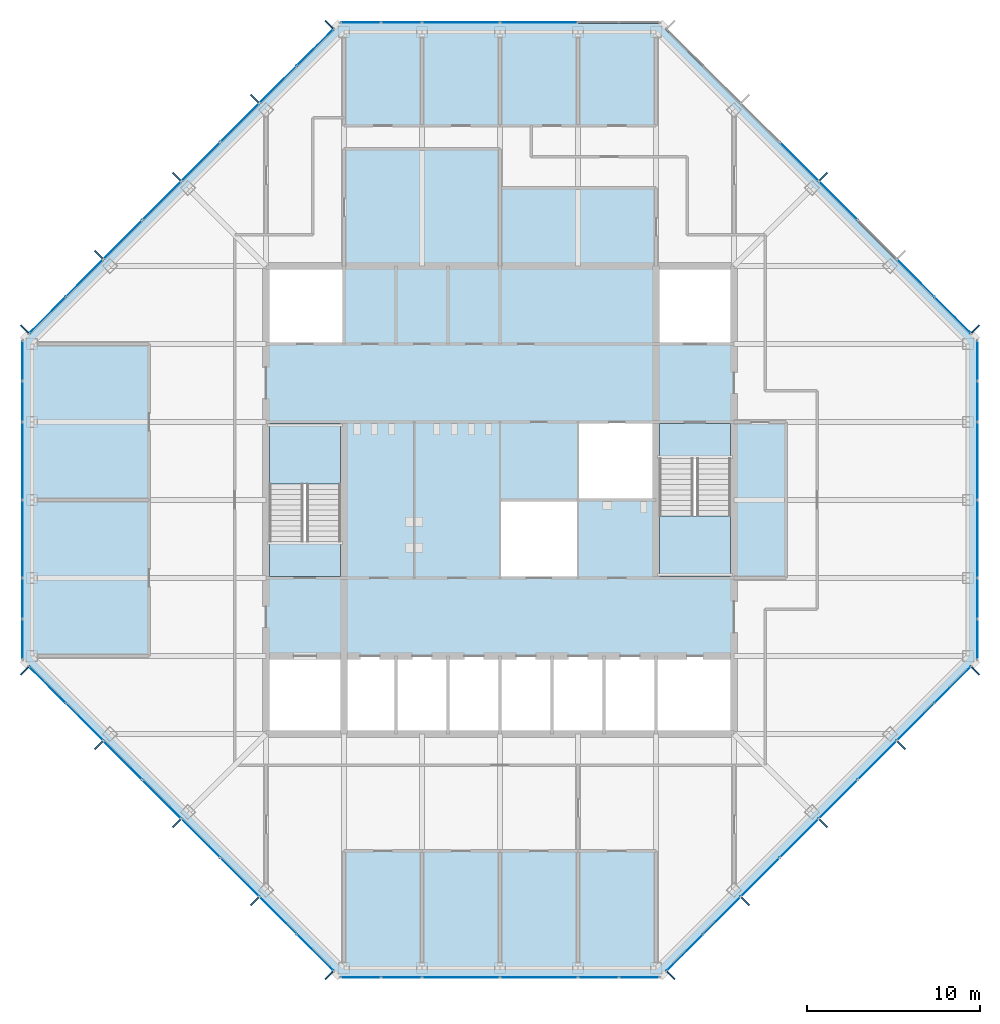
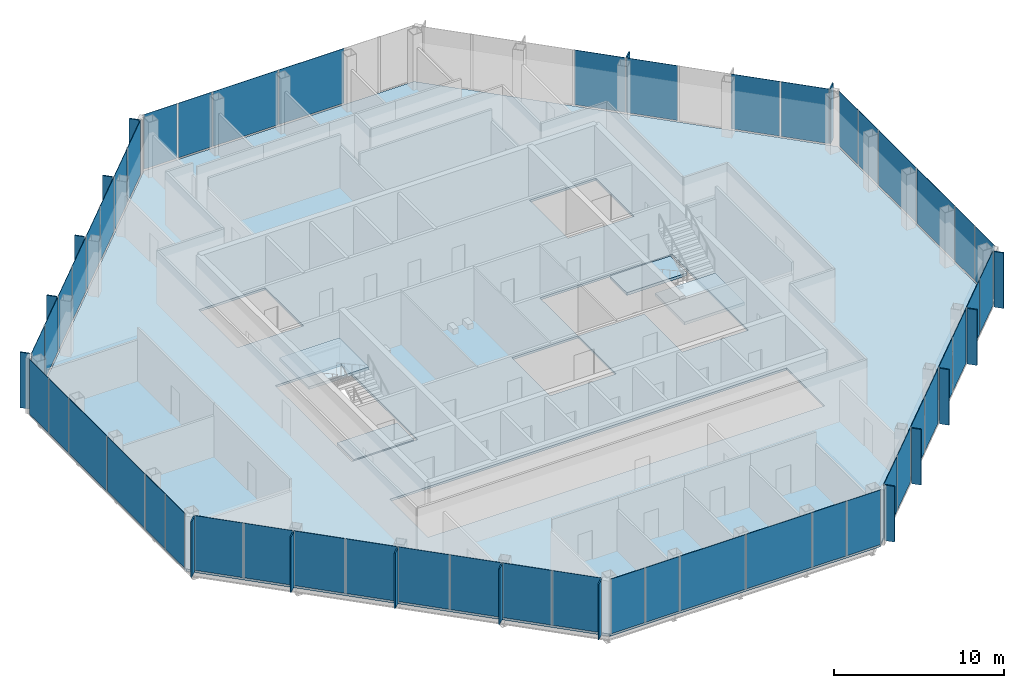
# One storey, part 8 of 14: 67 plates, 5 slabs, 10 elements without a shape of their own.
"""IFC4 building model written with IfcOpenShell, lengths in metres."""

from ifc_helpers import new_model, si_unit, direction, frame, origin, origin_2d, place, context, subcontext, project, spatial, polyline, rectangle, outline, extrude, material, layer, layer_set, type_object, element, aggregate, save


model = new_model("IFC4")

# Units and contexts
model_context = context("Model", 3, precision=1e-05, world=origin(), true_north=direction((0.0, 1.0)))
body_context = subcontext(model_context, "Body", "Model", "MODEL_VIEW")
ifc_project = project(units=[si_unit("LENGTHUNIT", "METRE"), si_unit("AREAUNIT", "SQUARE_METRE"), si_unit("VOLUMEUNIT", "CUBIC_METRE"), si_unit("PLANEANGLEUNIT", "RADIAN"), si_unit("MASSUNIT", "GRAM", prefix="KILO")], contexts=[model_context])

# Site, building, storey
site_placement = place(None, origin())
site = spatial("IfcSite", under=ifc_project, at=site_placement, CompositionType="ELEMENT")
building_placement = place(site_placement, origin())
building = spatial("IfcBuilding", under=site, at=building_placement, Name="Corais Broadcast Tower", CompositionType="ELEMENT")
storey_placement = place(building_placement, frame((0.0, 0.0, 258.60009765625)))
storey = spatial("IfcBuildingStorey", under=building, at=storey_placement, Name="L60", CompositionType="ELEMENT", Elevation=258.60009765625)

# Slab
ifc_material_1 = material(Name="Concrete C30/37", Category="concrete")
ifc_layer_1 = layer(ifc_material_1, 0.159912109375)
ifc_layer_set_1 = layer_set([ifc_layer_1], Name="Concrete C30/37")
slab_type_1 = type_object("IfcSlabType", Name="Composite floor slab 160", PredefinedType="FLOOR", material=ifc_layer_set_1)
slab_1_placement = place(storey_placement, frame((0.0, 0.0, -0.16015625)))
element("IfcSlab", 1, at=slab_1_placement, inside=storey, type_object=slab_type_1, Name="S160 floor slab L60", PredefinedType="FLOOR", context=body_context, shape_type="SweptSolid", body=[
    extrude(outline(polyline([(17.80126953125, -0.47998046875), (-0.47998046875, 17.80126953125), (-0.47998046875, 36.19873046875), (17.80126953125, 54.47998046875), (36.19873046875, 54.47998046875), (54.47998046875, 36.19873046875), (54.47998046875, 17.80126953125), (36.19873046875, -0.47998046875), (17.80126953125, -0.47998046875)]), holes=[polyline([(13.5, 18.0), (40.5, 18.0), (40.5, 13.5), (13.5, 13.5), (13.5, 18.0)]), polyline([(18.0, 22.5), (13.5, 22.5), (13.5, 31.5), (18.0, 31.5), (18.0, 22.5)]), polyline([(18.0, 36.0), (13.5, 36.0), (13.5, 40.5), (18.0, 40.5), (18.0, 36.0)]), polyline([(31.5, 22.5), (27.0, 22.5), (27.0, 27.0), (31.4951171875, 27.0), (31.4951171875, 27.0048828125), (31.5, 27.0048828125), (31.5, 31.5), (40.5, 31.5), (40.5, 22.5), (36.0, 22.5), (36.0, 27.0), (31.5048828125, 27.0), (31.5048828125, 26.9951171875), (31.5, 26.9951171875), (31.5, 22.5)]), polyline([(40.5, 36.0), (36.0, 36.0), (36.0, 40.5), (40.5, 40.5), (40.5, 36.0)])]), origin(), (0.0, 0.0, 1.0), 0.16015625),
])

# Curtain wall, plates
ifc_material_2 = material(Name="Aluminium and glass", Category="aluminium")
curtain_wall_type = type_object("IfcCurtainWallType", Name="Unitised fritted curtain wall CW3", PredefinedType="NOTDEFINED", material=ifc_material_2)
curtain_wall_1_placement = place(storey_placement, origin())
curtain_wall_1 = element("IfcCurtainWall", 2, at=curtain_wall_1_placement, inside=storey, type_object=curtain_wall_type, Name="CW3 curtain wall L60 1", PredefinedType="NOTDEFINED")
ifc_material_3 = material(Name="Ceramic-fritted laminated glass", Category="glass")
ifc_layer_2 = layer(ifc_material_3, 0.02587890625)
ifc_layer_set_2 = layer_set([ifc_layer_2], Name="Ceramic-fritted laminated glass")
plate_type_1 = type_object("IfcPlateType", Name="Fritted glass panel CW3", PredefinedType="CURTAIN_PANEL", material=ifc_layer_set_2)
plate_1_placement = place(storey_placement, frame((16.330322265625, 0.891845703125, 0.06494140625), z_axis=(0.0, 0.0, 1.0), x_axis=(-0.707106781187, 0.707106781187, 0.0)))
plate_1 = element("IfcPlate", 3, at=plate_1_placement, type_object=plate_type_1, Name="CW3 panel 1", PredefinedType="CURTAIN_PANEL", context=body_context, shape_type="SweptSolid", body=[
    extrude(rectangle(XDim=2.9482421875, YDim=0.02587890625, at=origin_2d()), origin(), (0.0, 0.0, 1.0), 3.93505859375),
])
plate_2_placement = place(storey_placement, frame((11.986083984375, 5.236083984375, 0.06494140625), z_axis=(0.0, 0.0, 1.0), x_axis=(-0.707106781187, 0.707106781187, 0.0)))
plate_2 = element("IfcPlate", 4, at=plate_2_placement, type_object=plate_type_1, Name="CW3 panel 3", PredefinedType="CURTAIN_PANEL", context=body_context, shape_type="SweptSolid", body=[
    extrude(rectangle(XDim=3.116943359375, YDim=0.02587890625, at=origin_2d()), origin(), (0.0, 0.0, 1.0), 3.93505859375),
])
plate_3_placement = place(storey_placement, frame((7.486083984375, 9.736083984375, 0.06494140625), z_axis=(0.0, 0.0, 1.0), x_axis=(-0.707106781187, 0.707106781187, 0.0)))
plate_3 = element("IfcPlate", 5, at=plate_3_placement, type_object=plate_type_1, Name="CW3 panel 5", PredefinedType="CURTAIN_PANEL", context=body_context, shape_type="SweptSolid", body=[
    extrude(rectangle(XDim=3.116943359375, YDim=0.02587890625, at=origin_2d()), origin(), (0.0, 0.0, 1.0), 3.93505859375),
])
plate_4_placement = place(storey_placement, frame((3.0341796875, 14.18798828125, 0.06494140625), z_axis=(0.0, 0.0, 1.0), x_axis=(-0.707106781187, 0.707106781187, 0.0)))
plate_4 = element("IfcPlate", 6, at=plate_4_placement, type_object=plate_type_1, Name="CW3 panel 7", PredefinedType="CURTAIN_PANEL", context=body_context, shape_type="SweptSolid", body=[
    extrude(rectangle(XDim=2.98095703125, YDim=0.02587890625, at=origin_2d()), origin(), (0.0, 0.0, 1.0), 3.93505859375),
])

curtain_wall_2_placement = place(storey_placement, origin())
curtain_wall_2 = element("IfcCurtainWall", 7, at=curtain_wall_2_placement, inside=storey, type_object=curtain_wall_type, Name="CW3 curtain wall L60 2", PredefinedType="NOTDEFINED")
plate_5_placement = place(storey_placement, frame((-0.550048828125, 18.970458984375, 0.06494140625), z_axis=(0.0, 0.0, 1.0), x_axis=(0.0, 1.0, 0.0)))
plate_5 = element("IfcPlate", 8, at=plate_5_placement, type_object=plate_type_1, Name="CW3 panel 1", PredefinedType="CURTAIN_PANEL", context=body_context, shape_type="SweptSolid", body=[
    extrude(rectangle(XDim=2.266357421875, YDim=0.02587890625, at=origin_2d()), origin(), (0.0, 0.0, 1.0), 3.93505859375),
])
plate_6_placement = place(storey_placement, frame((-0.550048828125, 24.75, 0.06494140625), z_axis=(0.0, 0.0, 1.0), x_axis=(0.0, 1.0, 0.0)))
plate_6 = element("IfcPlate", 9, at=plate_6_placement, type_object=plate_type_1, Name="CW3 panel 3", PredefinedType="CURTAIN_PANEL", context=body_context, shape_type="SweptSolid", body=[
    extrude(rectangle(XDim=4.43505859375, YDim=0.02587890625, at=origin_2d()), origin(), (0.0, 0.0, 1.0), 3.93505859375),
])
plate_7_placement = place(storey_placement, frame((-0.550048828125, 32.681884765625, 0.06494140625), z_axis=(0.0, 0.0, 1.0), x_axis=(0.0, 1.0, 0.0)))
plate_7 = element("IfcPlate", 10, at=plate_7_placement, type_object=plate_type_1, Name="CW3 panel 5", PredefinedType="CURTAIN_PANEL", context=body_context, shape_type="SweptSolid", body=[
    extrude(rectangle(XDim=2.298828125, YDim=0.02587890625, at=origin_2d()), origin(), (0.0, 0.0, 1.0), 3.93505859375),
])

curtain_wall_3_placement = place(storey_placement, origin())
curtain_wall_3 = element("IfcCurtainWall", 11, at=curtain_wall_3_placement, inside=storey, type_object=curtain_wall_type, Name="CW3 curtain wall L60 3", PredefinedType="NOTDEFINED")
plate_8_placement = place(storey_placement, frame((0.891845703125, 37.669677734375, 0.06494140625), z_axis=(0.0, 0.0, 1.0), x_axis=(0.707106781187, 0.707106781187, 0.0)))
plate_8 = element("IfcPlate", 12, at=plate_8_placement, type_object=plate_type_1, Name="CW3 panel 1", PredefinedType="CURTAIN_PANEL", context=body_context, shape_type="SweptSolid", body=[
    extrude(rectangle(XDim=2.9482421875, YDim=0.02587890625, at=origin_2d()), origin(), (0.0, 0.0, 1.0), 3.93505859375),
])
plate_9_placement = place(storey_placement, frame((5.236083984375, 42.013916015625, 0.06494140625), z_axis=(0.0, 0.0, 1.0), x_axis=(0.707106781187, 0.707106781187, 0.0)))
plate_9 = element("IfcPlate", 13, at=plate_9_placement, type_object=plate_type_1, Name="CW3 panel 3", PredefinedType="CURTAIN_PANEL", context=body_context, shape_type="SweptSolid", body=[
    extrude(rectangle(XDim=3.116943359375, YDim=0.02587890625, at=origin_2d()), origin(), (0.0, 0.0, 1.0), 3.93505859375),
])
plate_10_placement = place(storey_placement, frame((9.736083984375, 46.513916015625, 0.06494140625), z_axis=(0.0, 0.0, 1.0), x_axis=(0.707106781187, 0.707106781187, 0.0)))
plate_10 = element("IfcPlate", 14, at=plate_10_placement, type_object=plate_type_1, Name="CW3 panel 5", PredefinedType="CURTAIN_PANEL", context=body_context, shape_type="SweptSolid", body=[
    extrude(rectangle(XDim=3.116943359375, YDim=0.02587890625, at=origin_2d()), origin(), (0.0, 0.0, 1.0), 3.93505859375),
])
plate_11_placement = place(storey_placement, frame((14.18798828125, 50.9658203125, 0.06494140625), z_axis=(0.0, 0.0, 1.0), x_axis=(0.707106781187, 0.707106781187, 0.0)))
plate_11 = element("IfcPlate", 15, at=plate_11_placement, type_object=plate_type_1, Name="CW3 panel 7", PredefinedType="CURTAIN_PANEL", context=body_context, shape_type="SweptSolid", body=[
    extrude(rectangle(XDim=2.98095703125, YDim=0.02587890625, at=origin_2d()), origin(), (0.0, 0.0, 1.0), 3.93505859375),
])

curtain_wall_4_placement = place(storey_placement, origin())
curtain_wall_4 = element("IfcCurtainWall", 16, at=curtain_wall_4_placement, inside=storey, type_object=curtain_wall_type, Name="CW3 curtain wall L60 4", PredefinedType="NOTDEFINED")
plate_12_placement = place(storey_placement, frame((18.970458984375, 54.550048828125, 0.06494140625), z_axis=(0.0, 0.0, 1.0), x_axis=(1.0, 0.0, 0.0)))
plate_12 = element("IfcPlate", 17, at=plate_12_placement, type_object=plate_type_1, Name="CW3 panel 1", PredefinedType="CURTAIN_PANEL", context=body_context, shape_type="SweptSolid", body=[
    extrude(rectangle(XDim=2.266357421875, YDim=0.02587890625, at=origin_2d()), origin(), (0.0, 0.0, 1.0), 3.93505859375),
])
plate_13_placement = place(storey_placement, frame((24.75, 54.550048828125, 0.06494140625), z_axis=(0.0, 0.0, 1.0), x_axis=(1.0, 0.0, 0.0)))
plate_13 = element("IfcPlate", 18, at=plate_13_placement, type_object=plate_type_1, Name="CW3 panel 3", PredefinedType="CURTAIN_PANEL", context=body_context, shape_type="SweptSolid", body=[
    extrude(rectangle(XDim=4.43505859375, YDim=0.02587890625, at=origin_2d()), origin(), (0.0, 0.0, 1.0), 3.93505859375),
])

curtain_wall_5_placement = place(storey_placement, origin())
curtain_wall_5 = element("IfcCurtainWall", 19, at=curtain_wall_5_placement, inside=storey, type_object=curtain_wall_type, Name="CW3 curtain wall L60 5", PredefinedType="NOTDEFINED")
plate_14_placement = place(storey_placement, frame((46.513916015625, 44.263916015625, 0.06494140625), z_axis=(0.0, 0.0, 1.0), x_axis=(0.707106781187, -0.707106781187, 0.0)))
plate_14 = element("IfcPlate", 20, at=plate_14_placement, type_object=plate_type_1, Name="CW3 panel 5", PredefinedType="CURTAIN_PANEL", context=body_context, shape_type="SweptSolid", body=[
    extrude(rectangle(XDim=3.116943359375, YDim=0.02587890625, at=origin_2d()), origin(), (0.0, 0.0, 1.0), 3.93505859375),
])
plate_15_placement = place(storey_placement, frame((50.9658203125, 39.81201171875, 0.06494140625), z_axis=(0.0, 0.0, 1.0), x_axis=(0.707106781187, -0.707106781187, 0.0)))
plate_15 = element("IfcPlate", 21, at=plate_15_placement, type_object=plate_type_1, Name="CW3 panel 7", PredefinedType="CURTAIN_PANEL", context=body_context, shape_type="SweptSolid", body=[
    extrude(rectangle(XDim=2.98095703125, YDim=0.02587890625, at=origin_2d()), origin(), (0.0, 0.0, 1.0), 3.93505859375),
])

curtain_wall_6_placement = place(storey_placement, origin())
curtain_wall_6 = element("IfcCurtainWall", 22, at=curtain_wall_6_placement, inside=storey, type_object=curtain_wall_type, Name="CW3 curtain wall L60 6", PredefinedType="NOTDEFINED")
plate_16_placement = place(storey_placement, frame((54.550048828125, 35.029541015625, 0.06494140625), z_axis=(0.0, 0.0, 1.0), x_axis=(0.0, -1.0, 0.0)))
plate_16 = element("IfcPlate", 23, at=plate_16_placement, type_object=plate_type_1, Name="CW3 panel 1", PredefinedType="CURTAIN_PANEL", context=body_context, shape_type="SweptSolid", body=[
    extrude(rectangle(XDim=2.266357421875, YDim=0.02587890625, at=origin_2d()), origin(), (0.0, 0.0, 1.0), 3.93505859375),
])
plate_17_placement = place(storey_placement, frame((54.550048828125, 29.25, 0.06494140625), z_axis=(0.0, 0.0, 1.0), x_axis=(0.0, -1.0, 0.0)))
plate_17 = element("IfcPlate", 24, at=plate_17_placement, type_object=plate_type_1, Name="CW3 panel 3", PredefinedType="CURTAIN_PANEL", context=body_context, shape_type="SweptSolid", body=[
    extrude(rectangle(XDim=4.43505859375, YDim=0.02587890625, at=origin_2d()), origin(), (0.0, 0.0, 1.0), 3.93505859375),
])
plate_18_placement = place(storey_placement, frame((54.550048828125, 21.318115234375, 0.06494140625), z_axis=(0.0, 0.0, 1.0), x_axis=(0.0, -1.0, 0.0)))
plate_18 = element("IfcPlate", 25, at=plate_18_placement, type_object=plate_type_1, Name="CW3 panel 5", PredefinedType="CURTAIN_PANEL", context=body_context, shape_type="SweptSolid", body=[
    extrude(rectangle(XDim=2.298828125, YDim=0.02587890625, at=origin_2d()), origin(), (0.0, 0.0, 1.0), 3.93505859375),
])

curtain_wall_7_placement = place(storey_placement, origin())
curtain_wall_7 = element("IfcCurtainWall", 26, at=curtain_wall_7_placement, inside=storey, type_object=curtain_wall_type, Name="CW3 curtain wall L60 7", PredefinedType="NOTDEFINED")
plate_19_placement = place(storey_placement, frame((53.108154296875, 16.330322265625, 0.06494140625), z_axis=(0.0, 0.0, 1.0), x_axis=(-0.707106781187, -0.707106781187, 0.0)))
plate_19 = element("IfcPlate", 27, at=plate_19_placement, type_object=plate_type_1, Name="CW3 panel 1", PredefinedType="CURTAIN_PANEL", context=body_context, shape_type="SweptSolid", body=[
    extrude(rectangle(XDim=2.9482421875, YDim=0.02587890625, at=origin_2d()), origin(), (0.0, 0.0, 1.0), 3.93505859375),
])
plate_20_placement = place(storey_placement, frame((48.763916015625, 11.986083984375, 0.06494140625), z_axis=(0.0, 0.0, 1.0), x_axis=(-0.707106781187, -0.707106781187, 0.0)))
plate_20 = element("IfcPlate", 28, at=plate_20_placement, type_object=plate_type_1, Name="CW3 panel 3", PredefinedType="CURTAIN_PANEL", context=body_context, shape_type="SweptSolid", body=[
    extrude(rectangle(XDim=3.116943359375, YDim=0.02587890625, at=origin_2d()), origin(), (0.0, 0.0, 1.0), 3.93505859375),
])
plate_21_placement = place(storey_placement, frame((44.263916015625, 7.486083984375, 0.06494140625), z_axis=(0.0, 0.0, 1.0), x_axis=(-0.707106781187, -0.707106781187, 0.0)))
plate_21 = element("IfcPlate", 29, at=plate_21_placement, type_object=plate_type_1, Name="CW3 panel 5", PredefinedType="CURTAIN_PANEL", context=body_context, shape_type="SweptSolid", body=[
    extrude(rectangle(XDim=3.116943359375, YDim=0.02587890625, at=origin_2d()), origin(), (0.0, 0.0, 1.0), 3.93505859375),
])
plate_22_placement = place(storey_placement, frame((39.81201171875, 3.0341796875, 0.06494140625), z_axis=(0.0, 0.0, 1.0), x_axis=(-0.707106781187, -0.707106781187, 0.0)))
plate_22 = element("IfcPlate", 30, at=plate_22_placement, type_object=plate_type_1, Name="CW3 panel 7", PredefinedType="CURTAIN_PANEL", context=body_context, shape_type="SweptSolid", body=[
    extrude(rectangle(XDim=2.98095703125, YDim=0.02587890625, at=origin_2d()), origin(), (0.0, 0.0, 1.0), 3.93505859375),
])

curtain_wall_8_placement = place(storey_placement, origin())
curtain_wall_8 = element("IfcCurtainWall", 31, at=curtain_wall_8_placement, inside=storey, type_object=curtain_wall_type, Name="CW3 curtain wall L60 8", PredefinedType="NOTDEFINED")
plate_23_placement = place(storey_placement, frame((35.029541015625, -0.550048828125, 0.06494140625), z_axis=(0.0, 0.0, 1.0), x_axis=(-1.0, 0.0, 0.0)))
plate_23 = element("IfcPlate", 32, at=plate_23_placement, type_object=plate_type_1, Name="CW3 panel 1", PredefinedType="CURTAIN_PANEL", context=body_context, shape_type="SweptSolid", body=[
    extrude(rectangle(XDim=2.266357421875, YDim=0.02587890625, at=origin_2d()), origin(), (0.0, 0.0, 1.0), 3.93505859375),
])
plate_24_placement = place(storey_placement, frame((29.25, -0.550048828125, 0.06494140625), z_axis=(0.0, 0.0, 1.0), x_axis=(-1.0, 0.0, 0.0)))
plate_24 = element("IfcPlate", 33, at=plate_24_placement, type_object=plate_type_1, Name="CW3 panel 3", PredefinedType="CURTAIN_PANEL", context=body_context, shape_type="SweptSolid", body=[
    extrude(rectangle(XDim=4.43505859375, YDim=0.02587890625, at=origin_2d()), origin(), (0.0, 0.0, 1.0), 3.93505859375),
])
plate_25_placement = place(storey_placement, frame((21.318115234375, -0.550048828125, 0.06494140625), z_axis=(0.0, 0.0, 1.0), x_axis=(-1.0, 0.0, 0.0)))
plate_25 = element("IfcPlate", 34, at=plate_25_placement, type_object=plate_type_1, Name="CW3 panel 5", PredefinedType="CURTAIN_PANEL", context=body_context, shape_type="SweptSolid", body=[
    extrude(rectangle(XDim=2.298828125, YDim=0.02587890625, at=origin_2d()), origin(), (0.0, 0.0, 1.0), 3.93505859375),
])

# Plate
ifc_material_4 = material(Name="Clear laminated glass", Category="glass")
ifc_layer_3 = layer(ifc_material_4, 0.030029296875)
ifc_layer_set_3 = layer_set([ifc_layer_3], Name="Clear laminated glass")
plate_type_2 = type_object("IfcPlateType", Name="Operable glass panel CW3", PredefinedType="CURTAIN_PANEL", material=ifc_layer_set_3)
plate_26_placement = place(storey_placement, frame((14.18798828125, 3.0341796875, 0.06494140625), z_axis=(0.0, 0.0, 1.0), x_axis=(-0.707106781187, 0.707106781187, 0.0)))
plate_26 = element("IfcPlate", 35, at=plate_26_placement, type_object=plate_type_2, Name="CW3 operable panel 2", PredefinedType="CURTAIN_PANEL", context=body_context, shape_type="SweptSolid", body=[
    extrude(rectangle(XDim=2.98095703125, YDim=0.030029296875, at=origin_2d()), origin(), (0.0, 0.0, 1.0), 3.93505859375),
])

plate_27_placement = place(storey_placement, frame((9.736083984375, 7.486083984375, 0.06494140625), z_axis=(0.0, 0.0, 1.0), x_axis=(-0.707106781187, 0.707106781187, 0.0)))
plate_27 = element("IfcPlate", 36, at=plate_27_placement, type_object=plate_type_2, Name="CW3 operable panel 4", PredefinedType="CURTAIN_PANEL", context=body_context, shape_type="SweptSolid", body=[
    extrude(rectangle(XDim=3.116943359375, YDim=0.030029296875, at=origin_2d()), origin(), (0.0, 0.0, 1.0), 3.93505859375),
])

plate_28_placement = place(storey_placement, frame((5.236083984375, 11.986083984375, 0.06494140625), z_axis=(0.0, 0.0, 1.0), x_axis=(-0.707106781187, 0.707106781187, 0.0)))
plate_28 = element("IfcPlate", 37, at=plate_28_placement, type_object=plate_type_2, Name="CW3 operable panel 6", PredefinedType="CURTAIN_PANEL", context=body_context, shape_type="SweptSolid", body=[
    extrude(rectangle(XDim=3.116943359375, YDim=0.030029296875, at=origin_2d()), origin(), (0.0, 0.0, 1.0), 3.93505859375),
])

plate_29_placement = place(storey_placement, frame((0.89208984375, 16.330322265625, 0.06494140625), z_axis=(0.0, 0.0, 1.0), x_axis=(-0.707106781187, 0.707106781187, 0.0)))
plate_29 = element("IfcPlate", 38, at=plate_29_placement, type_object=plate_type_2, Name="CW3 operable panel 8", PredefinedType="CURTAIN_PANEL", context=body_context, shape_type="SweptSolid", body=[
    extrude(rectangle(XDim=2.948486328125, YDim=0.030029296875, at=origin_2d()), origin(), (0.0, 0.0, 1.0), 3.93505859375),
])

aggregate(curtain_wall_1, [plate_1, plate_26, plate_2, plate_27, plate_3, plate_28, plate_4, plate_29])

plate_30_placement = place(storey_placement, frame((-0.550048828125, 21.318115234375, 0.06494140625), z_axis=(0.0, 0.0, 1.0), x_axis=(0.0, 1.0, 0.0)))
plate_30 = element("IfcPlate", 39, at=plate_30_placement, type_object=plate_type_2, Name="CW3 operable panel 2", PredefinedType="CURTAIN_PANEL", context=body_context, shape_type="SweptSolid", body=[
    extrude(rectangle(XDim=2.298828125, YDim=0.030029296875, at=origin_2d()), origin(), (0.0, 0.0, 1.0), 3.93505859375),
])

plate_31_placement = place(storey_placement, frame((-0.550048828125, 29.25, 0.06494140625), z_axis=(0.0, 0.0, 1.0), x_axis=(0.0, 1.0, 0.0)))
plate_31 = element("IfcPlate", 40, at=plate_31_placement, type_object=plate_type_2, Name="CW3 operable panel 4", PredefinedType="CURTAIN_PANEL", context=body_context, shape_type="SweptSolid", body=[
    extrude(rectangle(XDim=4.43505859375, YDim=0.030029296875, at=origin_2d()), origin(), (0.0, 0.0, 1.0), 3.93505859375),
])

plate_32_placement = place(storey_placement, frame((-0.550048828125, 35.029541015625, 0.06494140625), z_axis=(0.0, 0.0, 1.0), x_axis=(0.0, 1.0, 0.0)))
plate_32 = element("IfcPlate", 41, at=plate_32_placement, type_object=plate_type_2, Name="CW3 operable panel 6", PredefinedType="CURTAIN_PANEL", context=body_context, shape_type="SweptSolid", body=[
    extrude(rectangle(XDim=2.266357421875, YDim=0.030029296875, at=origin_2d()), origin(), (0.0, 0.0, 1.0), 3.93505859375),
])

aggregate(curtain_wall_2, [plate_5, plate_30, plate_6, plate_31, plate_7, plate_32])

plate_33_placement = place(storey_placement, frame((3.0341796875, 39.81201171875, 0.06494140625), z_axis=(0.0, 0.0, 1.0), x_axis=(0.707106781187, 0.707106781187, 0.0)))
plate_33 = element("IfcPlate", 42, at=plate_33_placement, type_object=plate_type_2, Name="CW3 operable panel 2", PredefinedType="CURTAIN_PANEL", context=body_context, shape_type="SweptSolid", body=[
    extrude(rectangle(XDim=2.98095703125, YDim=0.030029296875, at=origin_2d()), origin(), (0.0, 0.0, 1.0), 3.93505859375),
])

plate_34_placement = place(storey_placement, frame((7.486083984375, 44.263916015625, 0.06494140625), z_axis=(0.0, 0.0, 1.0), x_axis=(0.707106781187, 0.707106781187, 0.0)))
plate_34 = element("IfcPlate", 43, at=plate_34_placement, type_object=plate_type_2, Name="CW3 operable panel 4", PredefinedType="CURTAIN_PANEL", context=body_context, shape_type="SweptSolid", body=[
    extrude(rectangle(XDim=3.116943359375, YDim=0.030029296875, at=origin_2d()), origin(), (0.0, 0.0, 1.0), 3.93505859375),
])

plate_35_placement = place(storey_placement, frame((11.986083984375, 48.763916015625, 0.06494140625), z_axis=(0.0, 0.0, 1.0), x_axis=(0.707106781187, 0.707106781187, 0.0)))
plate_35 = element("IfcPlate", 44, at=plate_35_placement, type_object=plate_type_2, Name="CW3 operable panel 6", PredefinedType="CURTAIN_PANEL", context=body_context, shape_type="SweptSolid", body=[
    extrude(rectangle(XDim=3.116943359375, YDim=0.030029296875, at=origin_2d()), origin(), (0.0, 0.0, 1.0), 3.93505859375),
])

plate_36_placement = place(storey_placement, frame((16.330322265625, 53.10791015625, 0.06494140625), z_axis=(0.0, 0.0, 1.0), x_axis=(0.707106781187, 0.707106781187, 0.0)))
plate_36 = element("IfcPlate", 45, at=plate_36_placement, type_object=plate_type_2, Name="CW3 operable panel 8", PredefinedType="CURTAIN_PANEL", context=body_context, shape_type="SweptSolid", body=[
    extrude(rectangle(XDim=2.948486328125, YDim=0.030029296875, at=origin_2d()), origin(), (0.0, 0.0, 1.0), 3.93505859375),
])

aggregate(curtain_wall_3, [plate_8, plate_33, plate_9, plate_34, plate_10, plate_35, plate_11, plate_36])

plate_37_placement = place(storey_placement, frame((21.318115234375, 54.550048828125, 0.06494140625), z_axis=(0.0, 0.0, 1.0), x_axis=(1.0, 0.0, 0.0)))
plate_37 = element("IfcPlate", 46, at=plate_37_placement, type_object=plate_type_2, Name="CW3 operable panel 2", PredefinedType="CURTAIN_PANEL", context=body_context, shape_type="SweptSolid", body=[
    extrude(rectangle(XDim=2.298828125, YDim=0.030029296875, at=origin_2d()), origin(), (0.0, 0.0, 1.0), 3.93505859375),
])

plate_38_placement = place(storey_placement, frame((29.25, 54.550048828125, 0.06494140625), z_axis=(0.0, 0.0, 1.0), x_axis=(1.0, 0.0, 0.0)))
plate_38 = element("IfcPlate", 47, at=plate_38_placement, type_object=plate_type_2, Name="CW3 operable panel 4", PredefinedType="CURTAIN_PANEL", context=body_context, shape_type="SweptSolid", body=[
    extrude(rectangle(XDim=4.43505859375, YDim=0.030029296875, at=origin_2d()), origin(), (0.0, 0.0, 1.0), 3.93505859375),
])

aggregate(curtain_wall_4, [plate_12, plate_37, plate_13, plate_38])

plate_39_placement = place(storey_placement, frame((44.263916015625, 46.513916015625, 0.06494140625), z_axis=(0.0, 0.0, 1.0), x_axis=(0.707106781187, -0.707106781187, 0.0)))
plate_39 = element("IfcPlate", 48, at=plate_39_placement, type_object=plate_type_2, Name="CW3 operable panel 4", PredefinedType="CURTAIN_PANEL", context=body_context, shape_type="SweptSolid", body=[
    extrude(rectangle(XDim=3.116943359375, YDim=0.030029296875, at=origin_2d()), origin(), (0.0, 0.0, 1.0), 3.93505859375),
])

plate_40_placement = place(storey_placement, frame((53.10791015625, 37.669677734375, 0.06494140625), z_axis=(0.0, 0.0, 1.0), x_axis=(0.707106781187, -0.707106781187, 0.0)))
plate_40 = element("IfcPlate", 49, at=plate_40_placement, type_object=plate_type_2, Name="CW3 operable panel 8", PredefinedType="CURTAIN_PANEL", context=body_context, shape_type="SweptSolid", body=[
    extrude(rectangle(XDim=2.948486328125, YDim=0.030029296875, at=origin_2d()), origin(), (0.0, 0.0, 1.0), 3.93505859375),
])

aggregate(curtain_wall_5, [plate_39, plate_14, plate_15, plate_40])

plate_41_placement = place(storey_placement, frame((54.550048828125, 32.681884765625, 0.06494140625), z_axis=(0.0, 0.0, 1.0), x_axis=(0.0, -1.0, 0.0)))
plate_41 = element("IfcPlate", 50, at=plate_41_placement, type_object=plate_type_2, Name="CW3 operable panel 2", PredefinedType="CURTAIN_PANEL", context=body_context, shape_type="SweptSolid", body=[
    extrude(rectangle(XDim=2.298828125, YDim=0.030029296875, at=origin_2d()), origin(), (0.0, 0.0, 1.0), 3.93505859375),
])

plate_42_placement = place(storey_placement, frame((54.550048828125, 24.75, 0.06494140625), z_axis=(0.0, 0.0, 1.0), x_axis=(0.0, -1.0, 0.0)))
plate_42 = element("IfcPlate", 51, at=plate_42_placement, type_object=plate_type_2, Name="CW3 operable panel 4", PredefinedType="CURTAIN_PANEL", context=body_context, shape_type="SweptSolid", body=[
    extrude(rectangle(XDim=4.43505859375, YDim=0.030029296875, at=origin_2d()), origin(), (0.0, 0.0, 1.0), 3.93505859375),
])

plate_43_placement = place(storey_placement, frame((54.550048828125, 18.970458984375, 0.06494140625), z_axis=(0.0, 0.0, 1.0), x_axis=(0.0, -1.0, 0.0)))
plate_43 = element("IfcPlate", 52, at=plate_43_placement, type_object=plate_type_2, Name="CW3 operable panel 6", PredefinedType="CURTAIN_PANEL", context=body_context, shape_type="SweptSolid", body=[
    extrude(rectangle(XDim=2.266357421875, YDim=0.030029296875, at=origin_2d()), origin(), (0.0, 0.0, 1.0), 3.93505859375),
])

aggregate(curtain_wall_6, [plate_16, plate_41, plate_17, plate_42, plate_18, plate_43])

plate_44_placement = place(storey_placement, frame((50.9658203125, 14.18798828125, 0.06494140625), z_axis=(0.0, 0.0, 1.0), x_axis=(-0.707106781187, -0.707106781187, 0.0)))
plate_44 = element("IfcPlate", 53, at=plate_44_placement, type_object=plate_type_2, Name="CW3 operable panel 2", PredefinedType="CURTAIN_PANEL", context=body_context, shape_type="SweptSolid", body=[
    extrude(rectangle(XDim=2.98095703125, YDim=0.030029296875, at=origin_2d()), origin(), (0.0, 0.0, 1.0), 3.93505859375),
])

plate_45_placement = place(storey_placement, frame((46.513916015625, 9.736083984375, 0.06494140625), z_axis=(0.0, 0.0, 1.0), x_axis=(-0.707106781187, -0.707106781187, 0.0)))
plate_45 = element("IfcPlate", 54, at=plate_45_placement, type_object=plate_type_2, Name="CW3 operable panel 4", PredefinedType="CURTAIN_PANEL", context=body_context, shape_type="SweptSolid", body=[
    extrude(rectangle(XDim=3.116943359375, YDim=0.030029296875, at=origin_2d()), origin(), (0.0, 0.0, 1.0), 3.93505859375),
])

plate_46_placement = place(storey_placement, frame((42.013916015625, 5.236083984375, 0.06494140625), z_axis=(0.0, 0.0, 1.0), x_axis=(-0.707106781187, -0.707106781187, 0.0)))
plate_46 = element("IfcPlate", 55, at=plate_46_placement, type_object=plate_type_2, Name="CW3 operable panel 6", PredefinedType="CURTAIN_PANEL", context=body_context, shape_type="SweptSolid", body=[
    extrude(rectangle(XDim=3.116943359375, YDim=0.030029296875, at=origin_2d()), origin(), (0.0, 0.0, 1.0), 3.93505859375),
])

plate_47_placement = place(storey_placement, frame((37.669677734375, 0.89208984375, 0.06494140625), z_axis=(0.0, 0.0, 1.0), x_axis=(-0.707106781187, -0.707106781187, 0.0)))
plate_47 = element("IfcPlate", 56, at=plate_47_placement, type_object=plate_type_2, Name="CW3 operable panel 8", PredefinedType="CURTAIN_PANEL", context=body_context, shape_type="SweptSolid", body=[
    extrude(rectangle(XDim=2.948486328125, YDim=0.030029296875, at=origin_2d()), origin(), (0.0, 0.0, 1.0), 3.93505859375),
])

aggregate(curtain_wall_7, [plate_19, plate_44, plate_20, plate_45, plate_21, plate_46, plate_22, plate_47])

plate_48_placement = place(storey_placement, frame((32.681884765625, -0.550048828125, 0.06494140625), z_axis=(0.0, 0.0, 1.0), x_axis=(-1.0, 0.0, 0.0)))
plate_48 = element("IfcPlate", 57, at=plate_48_placement, type_object=plate_type_2, Name="CW3 operable panel 2", PredefinedType="CURTAIN_PANEL", context=body_context, shape_type="SweptSolid", body=[
    extrude(rectangle(XDim=2.298828125, YDim=0.030029296875, at=origin_2d()), origin(), (0.0, 0.0, 1.0), 3.93505859375),
])

plate_49_placement = place(storey_placement, frame((24.75, -0.550048828125, 0.06494140625), z_axis=(0.0, 0.0, 1.0), x_axis=(-1.0, 0.0, 0.0)))
plate_49 = element("IfcPlate", 58, at=plate_49_placement, type_object=plate_type_2, Name="CW3 operable panel 4", PredefinedType="CURTAIN_PANEL", context=body_context, shape_type="SweptSolid", body=[
    extrude(rectangle(XDim=4.43505859375, YDim=0.030029296875, at=origin_2d()), origin(), (0.0, 0.0, 1.0), 3.93505859375),
])

plate_50_placement = place(storey_placement, frame((18.970458984375, -0.550048828125, 0.06494140625), z_axis=(0.0, 0.0, 1.0), x_axis=(-1.0, 0.0, 0.0)))
plate_50 = element("IfcPlate", 59, at=plate_50_placement, type_object=plate_type_2, Name="CW3 operable panel 6", PredefinedType="CURTAIN_PANEL", context=body_context, shape_type="SweptSolid", body=[
    extrude(rectangle(XDim=2.266357421875, YDim=0.030029296875, at=origin_2d()), origin(), (0.0, 0.0, 1.0), 3.93505859375),
])

aggregate(curtain_wall_8, [plate_23, plate_48, plate_24, plate_49, plate_25, plate_50])

# Stair, slabs
ifc_material_5 = material(Name="Concrete C30/37", Category="concrete")
stair_type = type_object("IfcStairType", Name="Half-turn stair 4000", PredefinedType="HALF_TURN_STAIR", material=ifc_material_5)
stair_1_placement = place(storey_placement, origin())
stair_1 = element("IfcStair", 60, at=stair_1_placement, inside=storey, type_object=stair_type, Name="Stair A L60", PredefinedType="HALF_TURN_STAIR")
ifc_material_6 = material(Name="Concrete C30/37", Category="concrete")
ifc_layer_4 = layer(ifc_material_6, 0.199951171875)
ifc_layer_set_4 = layer_set([ifc_layer_4], Name="Concrete C30/37")
slab_type_2 = type_object("IfcSlabType", Name="Stair landing 200", PredefinedType="LANDING", material=ifc_layer_set_4)
slab_2_placement = place(storey_placement, frame((0.0, 0.0, -0.2001953125)))
slab_2 = element("IfcSlab", 61, at=slab_2_placement, type_object=slab_type_2, Name="STA landing 1", PredefinedType="LANDING", context=body_context, shape_type="SweptSolid", body=[
    extrude(outline(polyline([(13.699951171875, 22.60009765625), (17.800048828125, 22.60009765625), (17.800048828125, 24.60009765625), (13.699951171875, 24.60009765625), (13.699951171875, 22.60009765625)])), origin(), (0.0, 0.0, 1.0), 0.2001953125),
])
slab_3_placement = place(storey_placement, frame((0.0, 0.0, 1.7998046875)))
slab_3 = element("IfcSlab", 62, at=slab_3_placement, type_object=slab_type_2, Name="STA landing 2", PredefinedType="LANDING", context=body_context, shape_type="SweptSolid", body=[
    extrude(outline(polyline([(13.699951171875, 27.922119140625), (17.800048828125, 27.922119140625), (17.800048828125, 31.39990234375), (13.699951171875, 31.39990234375), (13.699951171875, 27.922119140625)])), origin(), (0.0, 0.0, 1.0), 0.2001953125),
])
aggregate(stair_1, [slab_2, slab_3])

stair_2_placement = place(storey_placement, origin())
stair_2 = element("IfcStair", 63, at=stair_2_placement, inside=storey, type_object=stair_type, Name="Stair B L60", PredefinedType="HALF_TURN_STAIR")
slab_4_placement = place(storey_placement, frame((0.0, 0.0, -0.2001953125)))
slab_4 = element("IfcSlab", 64, at=slab_4_placement, type_object=slab_type_2, Name="STB landing 1", PredefinedType="LANDING", context=body_context, shape_type="SweptSolid", body=[
    extrude(outline(polyline([(36.199951171875, 29.39990234375), (40.300048828125, 29.39990234375), (40.300048828125, 31.39990234375), (36.199951171875, 31.39990234375), (36.199951171875, 29.39990234375)])), origin(), (0.0, 0.0, 1.0), 0.2001953125),
])
slab_5_placement = place(storey_placement, frame((0.0, 0.0, 1.7998046875)))
slab_5 = element("IfcSlab", 65, at=slab_5_placement, type_object=slab_type_2, Name="STB landing 2", PredefinedType="LANDING", context=body_context, shape_type="SweptSolid", body=[
    extrude(outline(polyline([(36.199951171875, 22.60009765625), (40.300048828125, 22.60009765625), (40.300048828125, 26.077880859375), (36.199951171875, 26.077880859375), (36.199951171875, 22.60009765625)])), origin(), (0.0, 0.0, 1.0), 0.2001953125),
])
aggregate(stair_2, [slab_4, slab_5])

# Plates
ifc_material_7 = material(Name="Granite stone cladding", Category="masonry")
ifc_layer_5 = layer(ifc_material_7, 0.080078125)
ifc_layer_set_5 = layer_set([ifc_layer_5], Name="Granite stone cladding")
plate_type_3 = type_object("IfcPlateType", Name="Stone screen fin 80x600", PredefinedType="USERDEFINED", material=ifc_layer_set_5)
for number, where, z_axis, x_axis, name in (
    (66, (17.129150390625, -0.43994140625, 0.0), (0.0, 0.0, 1.0), (-0.707106781187, 0.707106781187, 0.0), "SF1 stone screen fin L60"),
    (67, (12.844482421875, 3.844482421875, 0.0), (0.0, 0.0, 1.0), (-0.707106781187, 0.707106781187, 0.0), "SF1 stone screen fin L60"),
    (68, (8.344482421875, 8.344482421875, 0.0), (0.0, 0.0, 1.0), (-0.707106781187, 0.707106781187, 0.0), "SF1 stone screen fin L60"),
    (69, (3.844482421875, 12.844482421875, 0.0), (0.0, 0.0, 1.0), (-0.707106781187, 0.707106781187, 0.0), "SF1 stone screen fin L60"),
    (70, (-0.43994140625, 17.129150390625, 0.0), (0.0, 0.0, 1.0), (-0.707106781187, 0.707106781187, 0.0), "SF1 stone screen fin L60"),
    (71, (-0.43994140625, 36.870849609375, 0.0), (0.0, 0.0, 1.0), (0.707106781187, 0.707106781187, 0.0), "SF1 stone screen fin L60"),
    (72, (3.844482421875, 41.155517578125, 0.0), (0.0, 0.0, 1.0), (0.707106781187, 0.707106781187, 0.0), "SF1 stone screen fin L60"),
    (73, (8.344482421875, 45.655517578125, 0.0), (0.0, 0.0, 1.0), (0.707106781187, 0.707106781187, 0.0), "SF1 stone screen fin L60"),
    (74, (12.844482421875, 50.155517578125, 0.0), (0.0, 0.0, 1.0), (0.707106781187, 0.707106781187, 0.0), "SF1 stone screen fin L60"),
    (75, (17.129150390625, 54.43994140625, 0.0), (0.0, 0.0, 1.0), (0.707106781187, 0.707106781187, 0.0), "SF1 stone screen fin L60"),
    (76, (45.655517578125, 45.655517578125, 0.0), (0.0, 0.0, 1.0), (0.707106781187, -0.707106781187, 0.0), "SF1 stone screen fin L60"),
    (77, (54.43994140625, 36.870849609375, 0.0), (0.0, 0.0, 1.0), (0.707106781187, -0.707106781187, 0.0), "SF1 stone screen fin L60"),
    (78, (54.43994140625, 17.129150390625, 0.0), (0.0, 0.0, 1.0), (-0.707106781187, -0.707106781187, 0.0), "SF1 stone screen fin L60"),
    (79, (50.155517578125, 12.844482421875, 0.0), (0.0, 0.0, 1.0), (-0.707106781187, -0.707106781187, 0.0), "SF1 stone screen fin L60"),
    (80, (45.655517578125, 8.344482421875, 0.0), (0.0, 0.0, 1.0), (-0.707106781187, -0.707106781187, 0.0), "SF1 stone screen fin L60"),
    (81, (41.155517578125, 3.844482421875, 0.0), (0.0, 0.0, 1.0), (-0.707106781187, -0.707106781187, 0.0), "SF1 stone screen fin L60"),
    (82, (36.870849609375, -0.43994140625, 0.0), (0.0, 0.0, 1.0), (-0.707106781187, -0.707106781187, 0.0), "SF1 stone screen fin L60"),
):
    element("IfcPlate", number, at=place(storey_placement, frame(where, z_axis=z_axis, x_axis=x_axis)), inside=storey, type_object=plate_type_3, Name=name, ObjectType="STONE SCREEN FIN", PredefinedType="USERDEFINED", context=body_context, shape_type="SweptSolid", body=[
        extrude(rectangle(XDim=0.080078125, YDim=0.60009765625, at=origin_2d()), origin(), (0.0, 0.0, 1.0), 4.0),
    ])

save(model, "model.ifc")
